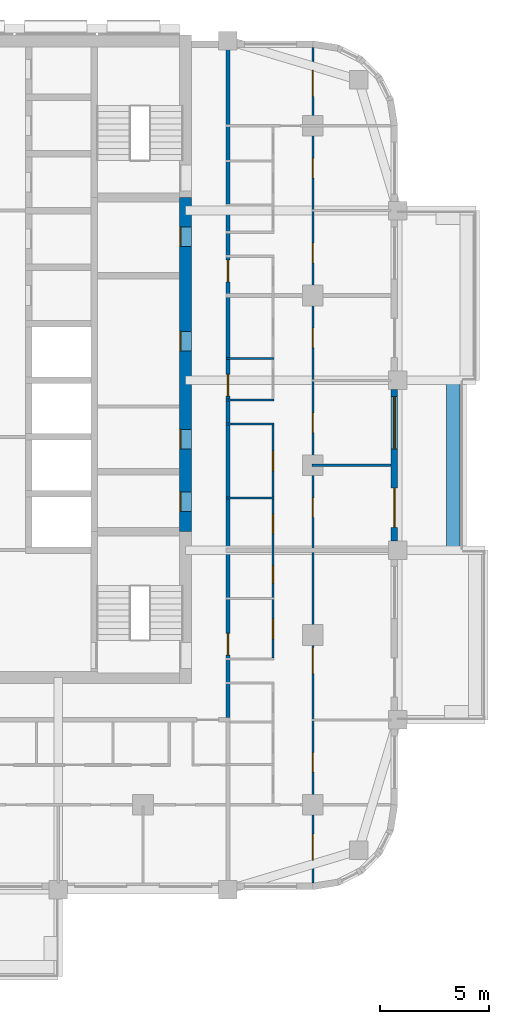
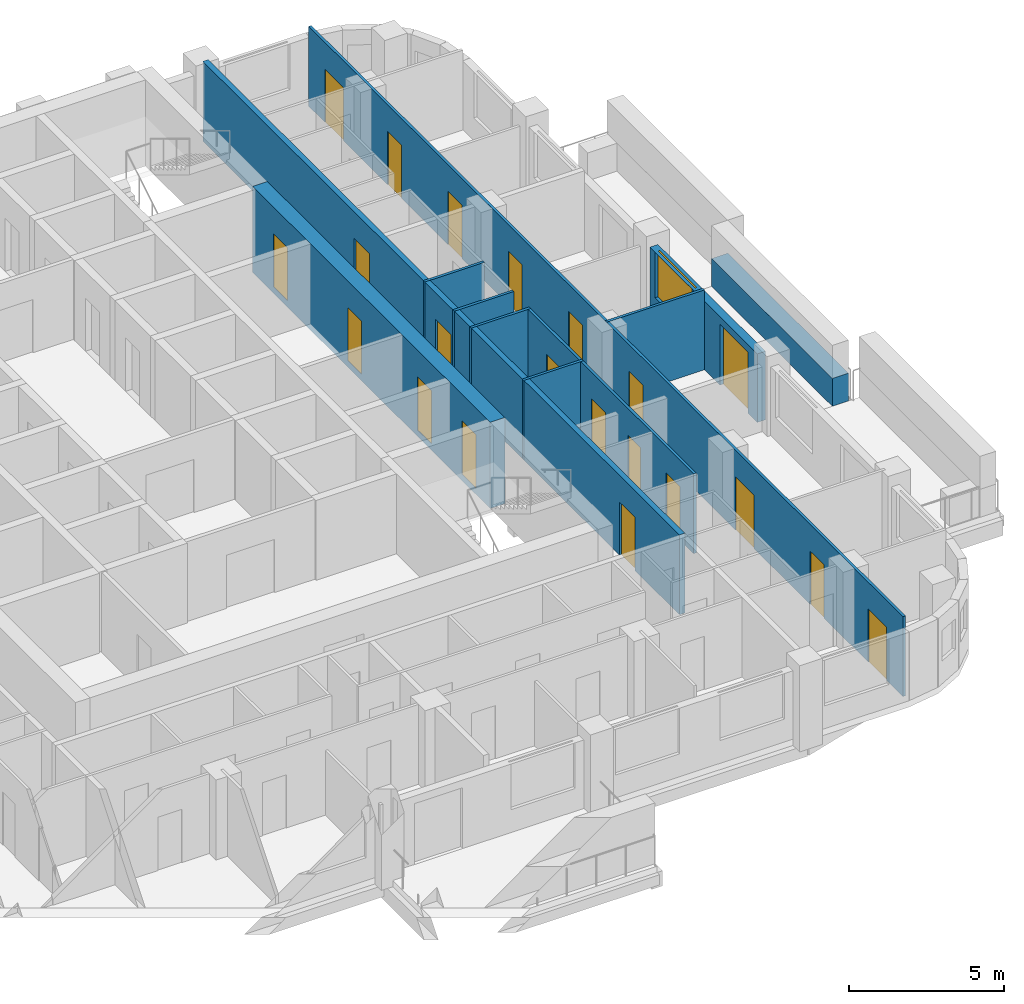
# One storey, part 7 of 14: 21 doors, 11 walls, 1 window, 22 openings.
"""IFC4 building model written with IfcOpenShell, lengths in metres."""

from ifc_helpers import new_model, si_unit, direction, frame, frame_2d, origin, place, context, subcontext, project, spatial, rectangle, extrude, material, layer, layer_set, type_object, element, fill, save


model = new_model("IFC4")

# Units and contexts
model_context = context("Model", 3, precision=1e-05, world=origin(), true_north=direction((0.0, 1.0)))
body_context = subcontext(model_context, "Body", "Model", "MODEL_VIEW")
ifc_project = project(units=[si_unit("LENGTHUNIT", "METRE"), si_unit("AREAUNIT", "SQUARE_METRE"), si_unit("VOLUMEUNIT", "CUBIC_METRE"), si_unit("PLANEANGLEUNIT", "RADIAN"), si_unit("MASSUNIT", "GRAM", prefix="KILO")], contexts=[model_context])

# Site, building, storey
site_placement = place(None, origin())
site = spatial("IfcSite", under=ifc_project, at=site_placement, CompositionType="ELEMENT")
building_placement = place(site_placement, origin())
building = spatial("IfcBuilding", under=site, at=building_placement, Name="Ludao Terraces", CompositionType="ELEMENT")
storey_placement = place(building_placement, frame((0.0, 0.0, 110.10009765625)))
storey = spatial("IfcBuildingStorey", under=building, at=storey_placement, Name="L30", CompositionType="ELEMENT", Elevation=110.10009765625)

# Wall, openings, doors
ifc_material_1 = material(Name="Concrete C60", Category="concrete")
ifc_layer_1 = layer(ifc_material_1, 0.550048828125)
ifc_layer_set_1 = layer_set([ifc_layer_1], Name="Core wall 550 C60")
wall_type_1 = type_object("IfcWallType", Name="Core wall 550 C60", PredefinedType="SOLIDWALL", material=ifc_layer_set_1)
wall_1_placement = place(storey_placement, frame((94.75, 61.949951171875, -0.25), z_axis=(0.0, 0.0, 1.0), x_axis=(0.0, 1.0, 0.0)))
wall_1 = element("IfcWall", 1, at=wall_1_placement, inside=storey, type_object=wall_type_1, Name="Core wall L30 outer-E", PredefinedType="SOLIDWALL", context=body_context, shape_type="SweptSolid", body=[
    extrude(rectangle(XDim=15.35009765625, YDim=0.550048828125, at=frame_2d((7.675048828125, 0.0))), origin(), (0.0, 0.0, 1.0), 3.39990234375),
])
opening_1_placement = place(wall_1_placement, frame((0.925048828125, 0.0, 0.25)))
opening_1 = element("IfcOpeningElement", 2, at=opening_1_placement, cuts=wall_1, Name="Opening R09-048", PredefinedType="OPENING", context=body_context, shape_type="SweptSolid", body=[
    extrude(rectangle(XDim=0.89990234375, YDim=2.10009765625, at=frame_2d((0.449951171875, 1.050048828125))), frame((0.0, 0.28515625, 0.0), z_axis=(0.0, -1.0, 0.0), x_axis=(1.0, 0.0, 0.0)), (0.0, 0.0, 1.0), 0.570068359375),
])
opening_2_placement = place(wall_1_placement, frame((3.800048828125, 0.0, 0.25)))
opening_2 = element("IfcOpeningElement", 3, at=opening_2_placement, cuts=wall_1, Name="Opening R09-053", PredefinedType="OPENING", context=body_context, shape_type="SweptSolid", body=[
    extrude(rectangle(XDim=0.89990234375, YDim=2.10009765625, at=frame_2d((0.449951171875, 1.050048828125))), frame((0.0, 0.28515625, 0.0), z_axis=(0.0, -1.0, 0.0), x_axis=(1.0, 0.0, 0.0)), (0.0, 0.0, 1.0), 0.570068359375),
])
opening_3_placement = place(wall_1_placement, frame((8.300048828125, 0.0, 0.25)))
opening_3 = element("IfcOpeningElement", 4, at=opening_3_placement, cuts=wall_1, Name="Opening R09-064", PredefinedType="OPENING", context=body_context, shape_type="SweptSolid", body=[
    extrude(rectangle(XDim=0.89990234375, YDim=2.10009765625, at=frame_2d((0.449951171875, 1.050048828125))), frame((0.0, 0.28515625, 0.0), z_axis=(0.0, -1.0, 0.0), x_axis=(1.0, 0.0, 0.0)), (0.0, 0.0, 1.0), 0.570068359375),
])
opening_4_placement = place(wall_1_placement, frame((13.10009765625, 0.0, 0.25)))
opening_4 = element("IfcOpeningElement", 5, at=opening_4_placement, cuts=wall_1, Name="Opening R09-080", PredefinedType="OPENING", context=body_context, shape_type="SweptSolid", body=[
    extrude(rectangle(XDim=0.89990234375, YDim=2.10009765625, at=frame_2d((0.449951171875, 1.050048828125))), frame((0.0, 0.28515625, 0.0), z_axis=(0.0, -1.0, 0.0), x_axis=(1.0, 0.0, 0.0)), (0.0, 0.0, 1.0), 0.570068359375),
])
ifc_material_2 = material(Name="Steel Q235", Category="steel")
door_type_1 = type_object("IfcDoorType", Name="INT Riser door 900", OperationType="SINGLE_SWING_LEFT", PredefinedType="DOOR", material=ifc_material_2)
door_1_placement = place(opening_1_placement, origin())
door_1 = element("IfcDoor", 6, at=door_1_placement, inside=storey, type_object=door_type_1, Name="DOOR 048", OperationType="SINGLE_SWING_LEFT", OverallHeight=2.10009765625, OverallWidth=0.89990234375, PredefinedType="DOOR", context=body_context, shape_type="SweptSolid", body=[
    extrude(rectangle(XDim=0.89990234375, YDim=2.10009765625, at=frame_2d((0.449951171875, 1.050048828125))), frame((0.0, 0.26025390625, 0.0), z_axis=(0.0, -1.0, 0.0), x_axis=(1.0, 0.0, 0.0)), (0.0, 0.0, 1.0), 0.050048828125),
])
fill(opening_1, door_1)
door_2_placement = place(opening_4_placement, origin())
door_2 = element("IfcDoor", 7, at=door_2_placement, inside=storey, type_object=door_type_1, Name="DOOR 080", OperationType="SINGLE_SWING_RIGHT", OverallHeight=2.10009765625, OverallWidth=0.89990234375, PredefinedType="DOOR", context=body_context, shape_type="SweptSolid", body=[
    extrude(rectangle(XDim=0.89990234375, YDim=2.10009765625, at=frame_2d((0.449951171875, 1.050048828125))), frame((0.0, 0.26025390625, 0.0), z_axis=(0.0, -1.0, 0.0), x_axis=(1.0, 0.0, 0.0)), (0.0, 0.0, 1.0), 0.050048828125),
])
fill(opening_4, door_2)
ifc_material_3 = material(Name="Timber door leaf", Category="wood")
door_type_2 = type_object("IfcDoorType", Name="INT Room door 900", OperationType="SINGLE_SWING_LEFT", PredefinedType="DOOR", material=ifc_material_3)
door_3_placement = place(opening_2_placement, origin())
door_3 = element("IfcDoor", 8, at=door_3_placement, inside=storey, type_object=door_type_2, Name="DOOR 053", OperationType="SINGLE_SWING_LEFT", OverallHeight=2.10009765625, OverallWidth=0.89990234375, PredefinedType="DOOR", context=body_context, shape_type="SweptSolid", body=[
    extrude(rectangle(XDim=0.89990234375, YDim=2.10009765625, at=frame_2d((0.449951171875, 1.050048828125))), frame((0.0, 0.26025390625, 0.0), z_axis=(0.0, -1.0, 0.0), x_axis=(1.0, 0.0, 0.0)), (0.0, 0.0, 1.0), 0.050048828125),
])
fill(opening_2, door_3)
door_4_placement = place(opening_3_placement, origin())
door_4 = element("IfcDoor", 9, at=door_4_placement, inside=storey, type_object=door_type_2, Name="DOOR 064", OperationType="SINGLE_SWING_RIGHT", OverallHeight=2.10009765625, OverallWidth=0.89990234375, PredefinedType="DOOR", context=body_context, shape_type="SweptSolid", body=[
    extrude(rectangle(XDim=0.89990234375, YDim=2.10009765625, at=frame_2d((0.449951171875, 1.050048828125))), frame((0.0, 0.26025390625, 0.0), z_axis=(0.0, -1.0, 0.0), x_axis=(1.0, 0.0, 0.0)), (0.0, 0.0, 1.0), 0.050048828125),
])
fill(opening_3, door_4)

# Wall
ifc_material_4 = material(Name="Concrete C40", Category="concrete")
ifc_layer_2 = layer(ifc_material_4, 0.60009765625)
ifc_layer_set_2 = layer_set([ifc_layer_2], Name="ENV Planter trough 600")
wall_type_2 = type_object("IfcWallType", Name="ENV Planter trough 600", PredefinedType="USERDEFINED", material=ifc_layer_set_2)
wall_2_placement = place(storey_placement, frame((107.050048828125, 61.10009765625, 0.0), z_axis=(0.0, 0.0, 1.0), x_axis=(0.0, 1.0, 0.0)))
element("IfcWall", 10, at=wall_2_placement, inside=storey, type_object=wall_type_2, Name="PL-L30-E2", ObjectType="PLANTER", PredefinedType="USERDEFINED", context=body_context, shape_type="SweptSolid", body=[
    extrude(rectangle(XDim=7.7998046875, YDim=0.60009765625, at=frame_2d((3.89990234375, 0.0))), origin(), (0.0, 0.0, 1.0), 1.099853515625),
])

# Wall, openings, door, window
ifc_material_5 = material(Name="Granite cladding", Category="masonry")
ifc_layer_3 = layer(ifc_material_5, 0.0400390625, Category="stone")
ifc_material_6 = material(Name="Mineral wool")
ifc_layer_4 = layer(ifc_material_6, 0.06005859375)
ifc_layer_5 = layer(ifc_material_4, 0.199951171875, Category="concrete")
ifc_layer_set_3 = layer_set([ifc_layer_3, ifc_layer_4, ifc_layer_5], Name="ENV Stone-clad wall 300")
wall_type_3 = type_object("IfcWallType", Name="ENV Stone-clad wall 300", PredefinedType="SOLIDWALL", material=ifc_layer_set_3)
wall_3_placement = place(storey_placement, frame((104.35009765625, 61.52490234375, 0.0), z_axis=(0.0, 0.0, 1.0), x_axis=(0.0, 1.0, 0.0)))
wall_3 = element("IfcWall", 11, at=wall_3_placement, inside=storey, type_object=wall_type_3, Name="EW-L30-E3", PredefinedType="SOLIDWALL", context=body_context, shape_type="SweptSolid", body=[
    extrude(rectangle(XDim=6.9501953125, YDim=0.300048828125, at=frame_2d((3.47509765625, 0.0))), origin(), (0.0, 0.0, 1.0), 2.699951171875),
])
opening_5_placement = place(wall_3_placement, frame((0.625, 0.0, 0.0)))
opening_5 = element("IfcOpeningElement", 12, at=opening_5_placement, cuts=wall_3, Name="Opening BD", PredefinedType="OPENING", context=body_context, shape_type="SweptSolid", body=[
    extrude(rectangle(XDim=1.800048828125, YDim=2.39990234375, at=frame_2d((0.89990234375, 1.199951171875))), frame((0.0, 0.16015625, 0.0), z_axis=(0.0, -1.0, 0.0), x_axis=(1.0, 0.0, 0.0)), (0.0, 0.0, 1.0), 0.320068359375),
])
opening_6_placement = place(wall_3_placement, frame((4.22509765625, 0.0, 0.89990234375)))
opening_6 = element("IfcOpeningElement", 13, at=opening_6_placement, cuts=wall_3, Name="Opening W1", PredefinedType="OPENING", context=body_context, shape_type="SweptSolid", body=[
    extrude(rectangle(XDim=2.39990234375, YDim=1.800048828125, at=frame_2d((1.199951171875, 0.89990234375))), frame((0.0, 0.16015625, 0.0), z_axis=(0.0, -1.0, 0.0), x_axis=(1.0, 0.0, 0.0)), (0.0, 0.0, 1.0), 0.320068359375),
])
ifc_material_7 = material(Name="Aluminium glazed door", Category="aluminium")
ifc_layer_6 = layer(ifc_material_7, 0.06005859375)
ifc_layer_set_4 = layer_set([ifc_layer_6], Name="ENV Balcony door BD 1800x2400")
door_type_3 = type_object("IfcDoorType", Name="ENV Balcony door BD 1800x2400", OperationType="DOUBLE_DOOR_SINGLE_SWING", PredefinedType="DOOR", material=ifc_layer_set_4)
door_5_placement = place(opening_5_placement, origin())
door_5 = element("IfcDoor", 14, at=door_5_placement, inside=storey, type_object=door_type_3, Name="BD-L30-E3-1", OperationType="DOUBLE_DOOR_SINGLE_SWING", OverallHeight=2.39990234375, OverallWidth=1.800048828125, PredefinedType="DOOR", context=body_context, shape_type="SweptSolid", body=[
    extrude(rectangle(XDim=1.800048828125, YDim=2.39990234375, at=frame_2d((0.89990234375, 1.199951171875))), frame((0.0, 0.02490234375, 0.0), z_axis=(0.0, -1.0, 0.0), x_axis=(1.0, 0.0, 0.0)), (0.0, 0.0, 1.0), 0.050048828125),
])
fill(opening_5, door_5)
ifc_material_8 = material(Name="Clear glass in aluminium frame", Category="aluminium")
ifc_layer_7 = layer(ifc_material_8, 0.06005859375)
ifc_layer_set_5 = layer_set([ifc_layer_7], Name="ENV Window W1 2400x1800")
window_type = type_object("IfcWindowType", Name="ENV Window W1 2400x1800", PartitioningType="DOUBLE_PANEL_VERTICAL", PredefinedType="WINDOW", material=ifc_layer_set_5)
window_placement = place(opening_6_placement, origin())
window = element("IfcWindow", 15, at=window_placement, inside=storey, type_object=window_type, Name="W-L30-E3-2", OverallHeight=1.800048828125, OverallWidth=2.39990234375, PartitioningType="DOUBLE_PANEL_VERTICAL", PredefinedType="WINDOW", context=body_context, shape_type="SweptSolid", body=[
    extrude(rectangle(XDim=2.39990234375, YDim=1.800048828125, at=frame_2d((1.199951171875, 0.89990234375))), frame((0.0, 0.030029296875, 0.0), z_axis=(0.0, -1.0, 0.0), x_axis=(1.0, 0.0, 0.0)), (0.0, 0.0, 1.0), 0.06005859375),
])
fill(opening_6, window)

# Wall, openings, doors
ifc_material_9 = material(Name="Autoclaved aerated concrete block B06 A3.5", Category="concrete")
ifc_layer_8 = layer(ifc_material_9, 0.199951171875)
ifc_layer_set_6 = layer_set([ifc_layer_8], Name="INT Entrance wall 200")
wall_type_4 = type_object("IfcWallType", Name="INT Entrance wall 200", PredefinedType="PARTITIONING", material=ifc_layer_set_6)
wall_4_placement = place(storey_placement, frame((96.699951171875, 53.400146484375, 0.0), z_axis=(0.0, 0.0, 1.0), x_axis=(0.0, 1.0, 0.0)))
wall_4 = element("IfcWall", 16, at=wall_4_placement, inside=storey, type_object=wall_type_4, Name="PW-L30-PW072", PredefinedType="PARTITIONING", context=body_context, shape_type="SweptSolid", body=[
    extrude(rectangle(XDim=30.800048828125, YDim=0.199951171875, at=frame_2d((15.39990234375, 0.0))), origin(), (0.0, 0.0, 1.0), 3.14990234375),
])
opening_7_placement = place(wall_4_placement, frame((2.875, 0.0, 0.0)))
opening_7 = element("IfcOpeningElement", 17, at=opening_7_placement, cuts=wall_4, Name="Opening R09-034", PredefinedType="OPENING", context=body_context, shape_type="SweptSolid", body=[
    extrude(rectangle(XDim=1.0, YDim=2.10009765625, at=frame_2d((0.5, 1.050048828125))), frame((0.0, 0.10986328125, 0.0), z_axis=(0.0, -1.0, 0.0), x_axis=(1.0, 0.0, 0.0)), (0.0, 0.0, 1.0), 0.219970703125),
])
opening_8_placement = place(wall_4_placement, frame((14.77490234375, 0.0, 0.0)))
opening_8 = element("IfcOpeningElement", 18, at=opening_8_placement, cuts=wall_4, Name="Opening R09-058", PredefinedType="OPENING", context=body_context, shape_type="SweptSolid", body=[
    extrude(rectangle(XDim=1.0, YDim=2.10009765625, at=frame_2d((0.5, 1.050048828125))), frame((0.0, 0.10986328125, 0.0), z_axis=(0.0, -1.0, 0.0), x_axis=(1.0, 0.0, 0.0)), (0.0, 0.0, 1.0), 0.219970703125),
])
opening_9_placement = place(wall_4_placement, frame((20.02490234375, 0.0, 0.0)))
opening_9 = element("IfcOpeningElement", 19, at=opening_9_placement, cuts=wall_4, Name="Opening R09-073", PredefinedType="OPENING", context=body_context, shape_type="SweptSolid", body=[
    extrude(rectangle(XDim=1.0, YDim=2.10009765625, at=frame_2d((0.5, 1.050048828125))), frame((0.0, 0.10986328125, 0.0), z_axis=(0.0, -1.0, 0.0), x_axis=(1.0, 0.0, 0.0)), (0.0, 0.0, 1.0), 0.219970703125),
])
door_type_4 = type_object("IfcDoorType", Name="INT Flat entrance door 1000", OperationType="SINGLE_SWING_LEFT", PredefinedType="DOOR", material=ifc_material_2)
door_6_placement = place(opening_7_placement, origin())
door_6 = element("IfcDoor", 20, at=door_6_placement, inside=storey, type_object=door_type_4, Name="DOOR 034", OperationType="SINGLE_SWING_LEFT", OverallHeight=2.10009765625, OverallWidth=1.0, PredefinedType="DOOR", context=body_context, shape_type="SweptSolid", body=[
    extrude(rectangle(XDim=1.0, YDim=2.10009765625, at=frame_2d((0.5, 1.050048828125))), frame((0.0, 0.02490234375, 0.0), z_axis=(0.0, -1.0, 0.0), x_axis=(1.0, 0.0, 0.0)), (0.0, 0.0, 1.0), 0.050048828125),
])
fill(opening_7, door_6)
door_7_placement = place(opening_8_placement, origin())
door_7 = element("IfcDoor", 21, at=door_7_placement, inside=storey, type_object=door_type_4, Name="DOOR 058", OperationType="SINGLE_SWING_LEFT", OverallHeight=2.10009765625, OverallWidth=1.0, PredefinedType="DOOR", context=body_context, shape_type="SweptSolid", body=[
    extrude(rectangle(XDim=1.0, YDim=2.10009765625, at=frame_2d((0.5, 1.050048828125))), frame((0.0, 0.02490234375, 0.0), z_axis=(0.0, -1.0, 0.0), x_axis=(1.0, 0.0, 0.0)), (0.0, 0.0, 1.0), 0.050048828125),
])
fill(opening_8, door_7)
door_8_placement = place(opening_9_placement, origin())
door_8 = element("IfcDoor", 22, at=door_8_placement, inside=storey, type_object=door_type_4, Name="DOOR 073", OperationType="SINGLE_SWING_RIGHT", OverallHeight=2.10009765625, OverallWidth=1.0, PredefinedType="DOOR", context=body_context, shape_type="SweptSolid", body=[
    extrude(rectangle(XDim=1.0, YDim=2.10009765625, at=frame_2d((0.5, 1.050048828125))), frame((0.0, 0.02490234375, 0.0), z_axis=(0.0, -1.0, 0.0), x_axis=(1.0, 0.0, 0.0)), (0.0, 0.0, 1.0), 0.050048828125),
])
fill(opening_9, door_8)

# Walls
ifc_material_10 = material(Name="Gypsum plasterboard", Category="gypsum")
ifc_layer_9 = layer(ifc_material_10, 0.012451171875, Category="gypsum")
ifc_layer_10 = layer(ifc_material_6, 0.06005859375, Name="insulation")
ifc_layer_11 = layer(ifc_material_2, 0.014892578125, Name="stud")
ifc_layer_12 = layer(ifc_material_10, 0.012451171875, Category="gypsum")
ifc_layer_set_7 = layer_set([ifc_layer_9, ifc_layer_10, ifc_layer_11, ifc_layer_12], Name="INT Partition 100")
wall_type_5 = type_object("IfcWallType", Name="INT Partition 100", PredefinedType="PARTITIONING", material=ifc_layer_set_7)
wall_5_placement = place(storey_placement, frame((96.60009765625, 63.5, 0.0), z_axis=(0.0, 0.0, 1.0), x_axis=(1.0, 0.0, 0.0)))
element("IfcWall", 23, at=wall_5_placement, inside=storey, type_object=wall_type_5, Name="PW-L30-PW020", PredefinedType="PARTITIONING", context=body_context, shape_type="SweptSolid", body=[
    extrude(rectangle(XDim=2.219970703125, YDim=0.10009765625, at=frame_2d((1.10986328125, 0.0))), origin(), (0.0, 0.0, 1.0), 3.14990234375),
])
wall_6_placement = place(storey_placement, frame((100.550048828125, 65.0, 0.0), z_axis=(0.0, 0.0, 1.0), x_axis=(1.0, 0.0, 0.0)))
element("IfcWall", 24, at=wall_6_placement, inside=storey, type_object=wall_type_5, Name="PW-L30-PW023", PredefinedType="PARTITIONING", context=body_context, shape_type="SweptSolid", body=[
    extrude(rectangle(XDim=3.650146484375, YDim=0.10009765625, at=frame_2d((1.8251953125, 0.0))), origin(), (0.0, 0.0, 1.0), 3.14990234375),
])
for number, where, z_axis, x_axis, name in (
    (25, (96.60009765625, 66.89990234375, 0.0), (0.0, 0.0, 1.0), (1.0, 0.0, 0.0), "PW-L30-PW025"),
    (26, (96.60009765625, 68.0, 0.0), (0.0, 0.0, 1.0), (1.0, 0.0, 0.0), "PW-L30-PW029"),
    (27, (96.60009765625, 69.89990234375, 0.0), (0.0, 0.0, 1.0), (1.0, 0.0, 0.0), "PW-L30-PW033"),
):
    element("IfcWall", number, at=place(storey_placement, frame(where, z_axis=z_axis, x_axis=x_axis)), inside=storey, type_object=wall_type_5, Name=name, PredefinedType="PARTITIONING", context=body_context, shape_type="SweptSolid", body=[
        extrude(rectangle(XDim=2.219970703125, YDim=0.10009765625, at=frame_2d((1.10986328125, 0.0))), origin(), (0.0, 0.0, 1.0), 3.14990234375),
    ])

# Wall, openings, doors
wall_7_placement = place(storey_placement, frame((98.77001953125, 56.150146484375, 0.0), z_axis=(0.0, 0.0, 1.0), x_axis=(0.0, 1.0, 0.0)))
wall_7 = element("IfcWall", 28, at=wall_7_placement, inside=storey, type_object=wall_type_5, Name="PW-L30-PW074", PredefinedType="PARTITIONING", context=body_context, shape_type="SweptSolid", body=[
    extrude(rectangle(XDim=10.699951171875, YDim=0.10009765625, at=frame_2d((5.35009765625, 0.0))), origin(), (0.0, 0.0, 1.0), 3.14990234375),
])
opening_10_placement = place(wall_7_placement, frame((0.885009765625, 0.0, 0.0)))
opening_10 = element("IfcOpeningElement", 29, at=opening_10_placement, cuts=wall_7, Name="Opening R09-036", PredefinedType="OPENING", context=body_context, shape_type="SweptSolid", body=[
    extrude(rectangle(XDim=0.89990234375, YDim=2.10009765625, at=frame_2d((0.449951171875, 1.050048828125))), frame((0.0, 0.06005859375, 0.0), z_axis=(0.0, -1.0, 0.0), x_axis=(1.0, 0.0, 0.0)), (0.0, 0.0, 1.0), 0.1201171875),
])
opening_11_placement = place(wall_7_placement, frame((3.43505859375, 0.0, 0.0)))
opening_11 = element("IfcOpeningElement", 30, at=opening_11_placement, cuts=wall_7, Name="Opening R09-040", PredefinedType="OPENING", context=body_context, shape_type="SweptSolid", body=[
    extrude(rectangle(XDim=0.800048828125, YDim=2.10009765625, at=frame_2d((0.39990234375, 1.050048828125))), frame((0.0, 0.06005859375, 0.0), z_axis=(0.0, -1.0, 0.0), x_axis=(1.0, 0.0, 0.0)), (0.0, 0.0, 1.0), 0.1201171875),
])
opening_12_placement = place(wall_7_placement, frame((5.699951171875, 0.0, 0.0)))
opening_12 = element("IfcOpeningElement", 31, at=opening_12_placement, cuts=wall_7, Name="Opening R09-042", PredefinedType="OPENING", context=body_context, shape_type="SweptSolid", body=[
    extrude(rectangle(XDim=0.89990234375, YDim=2.10009765625, at=frame_2d((0.449951171875, 1.050048828125))), frame((0.0, 0.06005859375, 0.0), z_axis=(0.0, -1.0, 0.0), x_axis=(1.0, 0.0, 0.0)), (0.0, 0.0, 1.0), 0.1201171875),
])
opening_13_placement = place(wall_7_placement, frame((8.60009765625, 0.0, 0.0)))
opening_13 = element("IfcOpeningElement", 32, at=opening_13_placement, cuts=wall_7, Name="Opening R09-050", PredefinedType="OPENING", context=body_context, shape_type="SweptSolid", body=[
    extrude(rectangle(XDim=0.89990234375, YDim=2.10009765625, at=frame_2d((0.449951171875, 1.050048828125))), frame((0.0, 0.06005859375, 0.0), z_axis=(0.0, -1.0, 0.0), x_axis=(1.0, 0.0, 0.0)), (0.0, 0.0, 1.0), 0.1201171875),
])
door_type_5 = type_object("IfcDoorType", Name="INT Bathroom door 900", OperationType="SINGLE_SWING_LEFT", PredefinedType="DOOR", material=ifc_material_3)
door_9_placement = place(opening_12_placement, origin())
door_9 = element("IfcDoor", 33, at=door_9_placement, inside=storey, type_object=door_type_5, Name="DOOR 042", OperationType="SINGLE_SWING_LEFT", OverallHeight=2.10009765625, OverallWidth=0.89990234375, PredefinedType="DOOR", context=body_context, shape_type="SweptSolid", body=[
    extrude(rectangle(XDim=0.89990234375, YDim=2.10009765625, at=frame_2d((0.449951171875, 1.050048828125))), frame((0.0, 0.02490234375, 0.0), z_axis=(0.0, -1.0, 0.0), x_axis=(1.0, 0.0, 0.0)), (0.0, 0.0, 1.0), 0.050048828125),
])
fill(opening_12, door_9)
door_10_placement = place(opening_10_placement, origin())
door_10 = element("IfcDoor", 34, at=door_10_placement, inside=storey, type_object=door_type_2, Name="DOOR 036", OperationType="SINGLE_SWING_LEFT", OverallHeight=2.10009765625, OverallWidth=0.89990234375, PredefinedType="DOOR", context=body_context, shape_type="SweptSolid", body=[
    extrude(rectangle(XDim=0.89990234375, YDim=2.10009765625, at=frame_2d((0.449951171875, 1.050048828125))), frame((0.0, 0.02490234375, 0.0), z_axis=(0.0, -1.0, 0.0), x_axis=(1.0, 0.0, 0.0)), (0.0, 0.0, 1.0), 0.050048828125),
])
fill(opening_10, door_10)
door_11_placement = place(opening_13_placement, origin())
door_11 = element("IfcDoor", 35, at=door_11_placement, inside=storey, type_object=door_type_2, Name="DOOR 050", OperationType="SINGLE_SWING_LEFT", OverallHeight=2.10009765625, OverallWidth=0.89990234375, PredefinedType="DOOR", context=body_context, shape_type="SweptSolid", body=[
    extrude(rectangle(XDim=0.89990234375, YDim=2.10009765625, at=frame_2d((0.449951171875, 1.050048828125))), frame((0.0, 0.02490234375, 0.0), z_axis=(0.0, -1.0, 0.0), x_axis=(1.0, 0.0, 0.0)), (0.0, 0.0, 1.0), 0.050048828125),
])
fill(opening_13, door_11)
door_type_6 = type_object("IfcDoorType", Name="INT Store door 800", OperationType="SINGLE_SWING_LEFT", PredefinedType="DOOR", material=ifc_material_3)
door_12_placement = place(opening_11_placement, origin())
door_12 = element("IfcDoor", 36, at=door_12_placement, inside=storey, type_object=door_type_6, Name="DOOR 040", OperationType="SINGLE_SWING_RIGHT", OverallHeight=2.10009765625, OverallWidth=0.800048828125, PredefinedType="DOOR", context=body_context, shape_type="SweptSolid", body=[
    extrude(rectangle(XDim=0.800048828125, YDim=2.10009765625, at=frame_2d((0.39990234375, 1.050048828125))), frame((0.0, 0.02490234375, 0.0), z_axis=(0.0, -1.0, 0.0), x_axis=(1.0, 0.0, 0.0)), (0.0, 0.0, 1.0), 0.050048828125),
])
fill(opening_11, door_12)

wall_8_placement = place(storey_placement, frame((100.60009765625, 45.800048828125, 0.0), z_axis=(0.0, 0.0, 1.0), x_axis=(0.0, 1.0, 0.0)))
wall_8 = element("IfcWall", 37, at=wall_8_placement, inside=storey, type_object=wall_type_5, Name="PW-L30-PW077", PredefinedType="PARTITIONING", context=body_context, shape_type="SweptSolid", body=[
    extrude(rectangle(XDim=38.400146484375, YDim=0.10009765625, at=frame_2d((19.2001953125, 0.0))), origin(), (0.0, 0.0, 1.0), 3.14990234375),
])
opening_14_placement = place(wall_8_placement, frame((1.050048828125, 0.0, 0.0)))
opening_14 = element("IfcOpeningElement", 38, at=opening_14_placement, cuts=wall_8, Name="Opening R09-002", PredefinedType="OPENING", context=body_context, shape_type="SweptSolid", body=[
    extrude(rectangle(XDim=1.199951171875, YDim=2.10009765625, at=frame_2d((0.60009765625, 1.050048828125))), frame((0.0, 0.06005859375, 0.0), z_axis=(0.0, -1.0, 0.0), x_axis=(1.0, 0.0, 0.0)), (0.0, 0.0, 1.0), 0.1201171875),
])
opening_15_placement = place(wall_8_placement, frame((5.10009765625, 0.0, 0.0)))
opening_15 = element("IfcOpeningElement", 39, at=opening_15_placement, cuts=wall_8, Name="Opening R09-022", PredefinedType="OPENING", context=body_context, shape_type="SweptSolid", body=[
    extrude(rectangle(XDim=0.89990234375, YDim=2.10009765625, at=frame_2d((0.449951171875, 1.050048828125))), frame((0.0, 0.06005859375, 0.0), z_axis=(0.0, -1.0, 0.0), x_axis=(1.0, 0.0, 0.0)), (0.0, 0.0, 1.0), 0.1201171875),
])
opening_16_placement = place(wall_8_placement, frame((9.625, 0.0, 0.0)))
opening_16 = element("IfcOpeningElement", 40, at=opening_16_placement, cuts=wall_8, Name="Opening R09-031", PredefinedType="OPENING", context=body_context, shape_type="SweptSolid", body=[
    extrude(rectangle(XDim=1.199951171875, YDim=2.10009765625, at=frame_2d((0.60009765625, 1.050048828125))), frame((0.0, 0.06005859375, 0.0), z_axis=(0.0, -1.0, 0.0), x_axis=(1.0, 0.0, 0.0)), (0.0, 0.0, 1.0), 0.1201171875),
])
opening_17_placement = place(wall_8_placement, frame((16.800048828125, 0.0, 0.0)))
opening_17 = element("IfcOpeningElement", 41, at=opening_17_placement, cuts=wall_8, Name="Opening R09-047", PredefinedType="OPENING", context=body_context, shape_type="SweptSolid", body=[
    extrude(rectangle(XDim=0.89990234375, YDim=2.10009765625, at=frame_2d((0.449951171875, 1.050048828125))), frame((0.0, 0.06005859375, 0.0), z_axis=(0.0, -1.0, 0.0), x_axis=(1.0, 0.0, 0.0)), (0.0, 0.0, 1.0), 0.1201171875),
])
opening_18_placement = place(wall_8_placement, frame((20.699951171875, 0.0, 0.0)))
opening_18 = element("IfcOpeningElement", 42, at=opening_18_placement, cuts=wall_8, Name="Opening R09-056", PredefinedType="OPENING", context=body_context, shape_type="SweptSolid", body=[
    extrude(rectangle(XDim=0.89990234375, YDim=2.10009765625, at=frame_2d((0.449951171875, 1.050048828125))), frame((0.0, 0.06005859375, 0.0), z_axis=(0.0, -1.0, 0.0), x_axis=(1.0, 0.0, 0.0)), (0.0, 0.0, 1.0), 0.1201171875),
])
opening_19_placement = place(wall_8_placement, frame((24.60009765625, 0.0, 0.0)))
opening_19 = element("IfcOpeningElement", 43, at=opening_19_placement, cuts=wall_8, Name="Opening R09-066", PredefinedType="OPENING", context=body_context, shape_type="SweptSolid", body=[
    extrude(rectangle(XDim=0.89990234375, YDim=2.10009765625, at=frame_2d((0.449951171875, 1.050048828125))), frame((0.0, 0.06005859375, 0.0), z_axis=(0.0, -1.0, 0.0), x_axis=(1.0, 0.0, 0.0)), (0.0, 0.0, 1.0), 0.1201171875),
])
opening_20_placement = place(wall_8_placement, frame((28.5, 0.0, 0.0)))
opening_20 = element("IfcOpeningElement", 44, at=opening_20_placement, cuts=wall_8, Name="Opening R09-075", PredefinedType="OPENING", context=body_context, shape_type="SweptSolid", body=[
    extrude(rectangle(XDim=0.89990234375, YDim=2.10009765625, at=frame_2d((0.449951171875, 1.050048828125))), frame((0.0, 0.06005859375, 0.0), z_axis=(0.0, -1.0, 0.0), x_axis=(1.0, 0.0, 0.0)), (0.0, 0.0, 1.0), 0.1201171875),
])
opening_21_placement = place(wall_8_placement, frame((32.39990234375, 0.0, 0.0)))
opening_21 = element("IfcOpeningElement", 45, at=opening_21_placement, cuts=wall_8, Name="Opening R09-090", PredefinedType="OPENING", context=body_context, shape_type="SweptSolid", body=[
    extrude(rectangle(XDim=0.89990234375, YDim=2.10009765625, at=frame_2d((0.449951171875, 1.050048828125))), frame((0.0, 0.06005859375, 0.0), z_axis=(0.0, -1.0, 0.0), x_axis=(1.0, 0.0, 0.0)), (0.0, 0.0, 1.0), 0.1201171875),
])
opening_22_placement = place(wall_8_placement, frame((36.14990234375, 0.0, 0.0)))
opening_22 = element("IfcOpeningElement", 46, at=opening_22_placement, cuts=wall_8, Name="Opening R09-099", PredefinedType="OPENING", context=body_context, shape_type="SweptSolid", body=[
    extrude(rectangle(XDim=1.199951171875, YDim=2.10009765625, at=frame_2d((0.60009765625, 1.050048828125))), frame((0.0, 0.06005859375, 0.0), z_axis=(0.0, -1.0, 0.0), x_axis=(1.0, 0.0, 0.0)), (0.0, 0.0, 1.0), 0.1201171875),
])
door_type_7 = type_object("IfcDoorType", Name="INT Double door 1200", OperationType="DOUBLE_DOOR_SINGLE_SWING", PredefinedType="DOOR", material=ifc_material_3)
door_13_placement = place(opening_14_placement, origin())
door_13 = element("IfcDoor", 47, at=door_13_placement, inside=storey, type_object=door_type_7, Name="DOOR 002", OperationType="DOUBLE_DOOR_SINGLE_SWING", OverallHeight=2.10009765625, OverallWidth=1.199951171875, PredefinedType="DOOR", context=body_context, shape_type="SweptSolid", body=[
    extrude(rectangle(XDim=1.199951171875, YDim=2.10009765625, at=frame_2d((0.60009765625, 1.050048828125))), frame((0.0, 0.02490234375, 0.0), z_axis=(0.0, -1.0, 0.0), x_axis=(1.0, 0.0, 0.0)), (0.0, 0.0, 1.0), 0.050048828125),
])
fill(opening_14, door_13)
door_14_placement = place(opening_16_placement, origin())
door_14 = element("IfcDoor", 48, at=door_14_placement, inside=storey, type_object=door_type_7, Name="DOOR 031", OperationType="DOUBLE_DOOR_SINGLE_SWING", OverallHeight=2.10009765625, OverallWidth=1.199951171875, PredefinedType="DOOR", context=body_context, shape_type="SweptSolid", body=[
    extrude(rectangle(XDim=1.199951171875, YDim=2.10009765625, at=frame_2d((0.60009765625, 1.050048828125))), frame((0.0, 0.02490234375, 0.0), z_axis=(0.0, -1.0, 0.0), x_axis=(1.0, 0.0, 0.0)), (0.0, 0.0, 1.0), 0.050048828125),
])
fill(opening_16, door_14)
door_15_placement = place(opening_22_placement, origin())
door_15 = element("IfcDoor", 49, at=door_15_placement, inside=storey, type_object=door_type_7, Name="DOOR 099", OperationType="DOUBLE_DOOR_SINGLE_SWING", OverallHeight=2.10009765625, OverallWidth=1.199951171875, PredefinedType="DOOR", context=body_context, shape_type="SweptSolid", body=[
    extrude(rectangle(XDim=1.199951171875, YDim=2.10009765625, at=frame_2d((0.60009765625, 1.050048828125))), frame((0.0, 0.02490234375, 0.0), z_axis=(0.0, -1.0, 0.0), x_axis=(1.0, 0.0, 0.0)), (0.0, 0.0, 1.0), 0.050048828125),
])
fill(opening_22, door_15)
door_16_placement = place(opening_15_placement, origin())
door_16 = element("IfcDoor", 50, at=door_16_placement, inside=storey, type_object=door_type_2, Name="DOOR 022", OperationType="SINGLE_SWING_LEFT", OverallHeight=2.10009765625, OverallWidth=0.89990234375, PredefinedType="DOOR", context=body_context, shape_type="SweptSolid", body=[
    extrude(rectangle(XDim=0.89990234375, YDim=2.10009765625, at=frame_2d((0.449951171875, 1.050048828125))), frame((0.0, 0.02490234375, 0.0), z_axis=(0.0, -1.0, 0.0), x_axis=(1.0, 0.0, 0.0)), (0.0, 0.0, 1.0), 0.050048828125),
])
fill(opening_15, door_16)
door_17_placement = place(opening_17_placement, origin())
door_17 = element("IfcDoor", 51, at=door_17_placement, inside=storey, type_object=door_type_2, Name="DOOR 047", OperationType="SINGLE_SWING_LEFT", OverallHeight=2.10009765625, OverallWidth=0.89990234375, PredefinedType="DOOR", context=body_context, shape_type="SweptSolid", body=[
    extrude(rectangle(XDim=0.89990234375, YDim=2.10009765625, at=frame_2d((0.449951171875, 1.050048828125))), frame((0.0, 0.02490234375, 0.0), z_axis=(0.0, -1.0, 0.0), x_axis=(1.0, 0.0, 0.0)), (0.0, 0.0, 1.0), 0.050048828125),
])
fill(opening_17, door_17)
door_18_placement = place(opening_18_placement, origin())
door_18 = element("IfcDoor", 52, at=door_18_placement, inside=storey, type_object=door_type_2, Name="DOOR 056", OperationType="SINGLE_SWING_LEFT", OverallHeight=2.10009765625, OverallWidth=0.89990234375, PredefinedType="DOOR", context=body_context, shape_type="SweptSolid", body=[
    extrude(rectangle(XDim=0.89990234375, YDim=2.10009765625, at=frame_2d((0.449951171875, 1.050048828125))), frame((0.0, 0.02490234375, 0.0), z_axis=(0.0, -1.0, 0.0), x_axis=(1.0, 0.0, 0.0)), (0.0, 0.0, 1.0), 0.050048828125),
])
fill(opening_18, door_18)
door_19_placement = place(opening_19_placement, origin())
door_19 = element("IfcDoor", 53, at=door_19_placement, inside=storey, type_object=door_type_2, Name="DOOR 066", OperationType="SINGLE_SWING_RIGHT", OverallHeight=2.10009765625, OverallWidth=0.89990234375, PredefinedType="DOOR", context=body_context, shape_type="SweptSolid", body=[
    extrude(rectangle(XDim=0.89990234375, YDim=2.10009765625, at=frame_2d((0.449951171875, 1.050048828125))), frame((0.0, 0.02490234375, 0.0), z_axis=(0.0, -1.0, 0.0), x_axis=(1.0, 0.0, 0.0)), (0.0, 0.0, 1.0), 0.050048828125),
])
fill(opening_19, door_19)
door_20_placement = place(opening_20_placement, origin())
door_20 = element("IfcDoor", 54, at=door_20_placement, inside=storey, type_object=door_type_2, Name="DOOR 075", OperationType="SINGLE_SWING_LEFT", OverallHeight=2.10009765625, OverallWidth=0.89990234375, PredefinedType="DOOR", context=body_context, shape_type="SweptSolid", body=[
    extrude(rectangle(XDim=0.89990234375, YDim=2.10009765625, at=frame_2d((0.449951171875, 1.050048828125))), frame((0.0, 0.02490234375, 0.0), z_axis=(0.0, -1.0, 0.0), x_axis=(1.0, 0.0, 0.0)), (0.0, 0.0, 1.0), 0.050048828125),
])
fill(opening_20, door_20)
door_21_placement = place(opening_21_placement, origin())
door_21 = element("IfcDoor", 55, at=door_21_placement, inside=storey, type_object=door_type_2, Name="DOOR 090", OperationType="SINGLE_SWING_RIGHT", OverallHeight=2.10009765625, OverallWidth=0.89990234375, PredefinedType="DOOR", context=body_context, shape_type="SweptSolid", body=[
    extrude(rectangle(XDim=0.89990234375, YDim=2.10009765625, at=frame_2d((0.449951171875, 1.050048828125))), frame((0.0, 0.02490234375, 0.0), z_axis=(0.0, -1.0, 0.0), x_axis=(1.0, 0.0, 0.0)), (0.0, 0.0, 1.0), 0.050048828125),
])
fill(opening_21, door_21)

save(model, "model.ifc")
